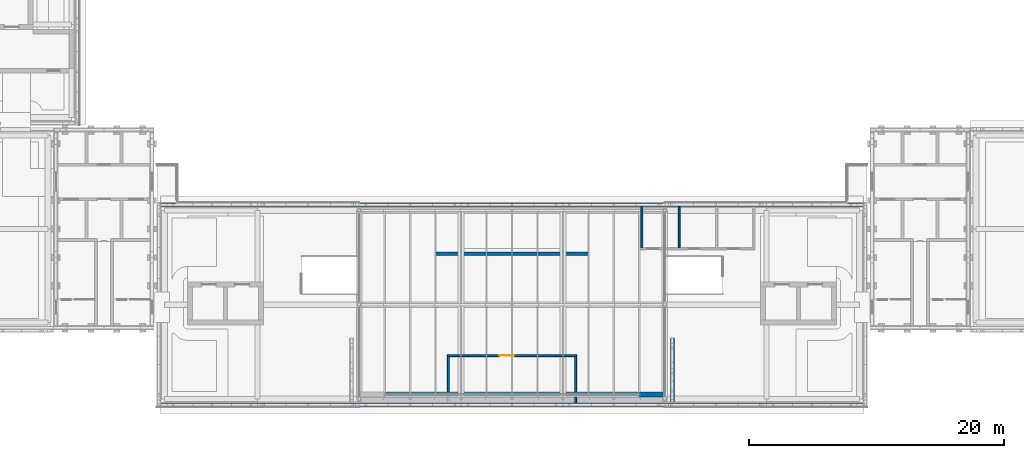
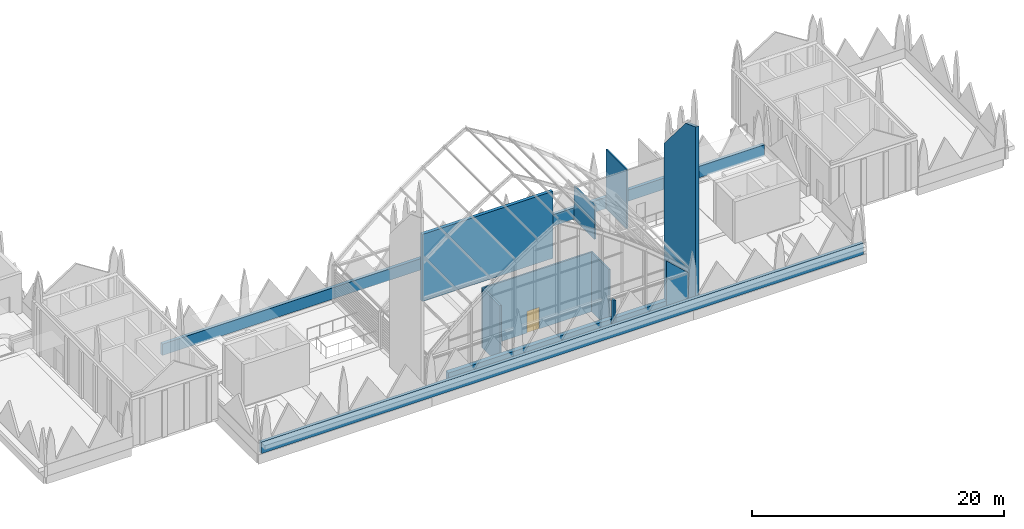
# One storey, part 11 of 18: 12 walls, 1 door, 1 opening.
"""IFC4 building model written with IfcOpenShell, lengths in metres."""

from ifc_helpers import new_model, si_unit, direction, frame, frame_2d, origin, place, context, subcontext, project, spatial, polyline, rectangle, outline, extrude, material, layer, layer_set, type_object, element, fill, save


model = new_model("IFC4")

# Units and contexts
model_context = context("Model", 3, precision=1e-05, world=origin(), true_north=direction((0.0, 1.0)))
body_context = subcontext(model_context, "Body", "Model", "MODEL_VIEW")
ifc_project = project(units=[si_unit("LENGTHUNIT", "METRE"), si_unit("AREAUNIT", "SQUARE_METRE"), si_unit("VOLUMEUNIT", "CUBIC_METRE"), si_unit("PLANEANGLEUNIT", "RADIAN"), si_unit("MASSUNIT", "GRAM", prefix="KILO")], contexts=[model_context])

# Site, building, storey
site_placement = place(None, origin())
site = spatial("IfcSite", under=ifc_project, at=site_placement, CompositionType="ELEMENT")
building_placement = place(site_placement, origin())
building = spatial("IfcBuilding", under=site, at=building_placement, Name="Lantern Court Media Centre", CompositionType="ELEMENT")
storey_placement = place(building_placement, frame((0.0, 0.0, 33.60009765625)))
storey = spatial("IfcBuildingStorey", under=building, at=storey_placement, Name="R00", CompositionType="ELEMENT", Elevation=33.60009765625)

# Walls
ifc_material_1 = material(Name="Honed limestone cladding on blockwork", Category="masonry")
ifc_layer_1 = layer(ifc_material_1, 0.300048828125)
ifc_layer_set_1 = layer_set([ifc_layer_1], Name="Honed limestone cladding on blockwork")
wall_type_1 = type_object("IfcWallType", Name="Limestone flank wall 300", PredefinedType="SOLIDWALL", material=ifc_layer_set_1)
wall_1_placement = place(storey_placement, frame((64.60009765625, 42.39990234375, 0.0), z_axis=(0.0, 0.0, 1.0), x_axis=(0.0, 1.0, 0.0)))
element("IfcWall", 1, at=wall_1_placement, inside=storey, type_object=wall_type_1, Name="Limestone pylon blade S roof", PredefinedType="SOLIDWALL", context=body_context, shape_type="SweptSolid", body=[
    extrude(outline(polyline([(0.0, 0.0), (5.0, 0.0), (5.0, 12.7998046875), (1.60009765625, 16.7998046875), (0.0, 17.39990234375), (0.0, 0.0)])), frame((0.0, 0.14990234375, 0.0), z_axis=(0.0, -1.0, 0.0), x_axis=(1.0, 0.0, 0.0)), (0.0, 0.0, 1.0), 0.300048828125),
])
ifc_material_2 = material(Name="Concrete blockwork C20", Category="masonry")
ifc_layer_2 = layer(ifc_material_2, 0.14990234375)
ifc_layer_set_2 = layer_set([ifc_layer_2], Name="Concrete blockwork C20")
wall_type_2 = type_object("IfcWallType", Name="Partition 150 masonry", PredefinedType="PARTITIONING", material=ifc_layer_set_2)
wall_2_placement = place(storey_placement, frame((65.133056640625, 54.47509765625, 0.0), z_axis=(0.0, 0.0, 1.0), x_axis=(0.0, 1.0, 0.0)))
element("IfcWall", 2, at=wall_2_placement, inside=storey, type_object=wall_type_2, Name="R00 partition 000", PredefinedType="PARTITIONING", context=body_context, shape_type="SweptSolid", body=[
    extrude(rectangle(XDim=3.224853515625, YDim=0.14990234375, at=frame_2d((1.6123046875, 0.0))), origin(), (0.0, 0.0, 1.0), 5.760009765625),
])
wall_3_placement = place(storey_placement, frame((62.199951171875, 54.47509765625, 0.0), z_axis=(0.0, 0.0, 1.0), x_axis=(0.0, 1.0, 0.0)))
element("IfcWall", 3, at=wall_3_placement, inside=storey, type_object=wall_type_2, Name="R00 partition 002", PredefinedType="PARTITIONING", context=body_context, shape_type="SweptSolid", body=[
    extrude(rectangle(XDim=3.224853515625, YDim=0.14990234375, at=frame_2d((1.6123046875, 0.0))), origin(), (0.0, 0.0, 1.0), 3.25),
])
wall_4_placement = place(storey_placement, frame((57.0, 42.300048828125, 0.0), z_axis=(0.0, 0.0, 1.0), x_axis=(0.0, 1.0, 0.0)))
element("IfcWall", 4, at=wall_4_placement, inside=storey, type_object=wall_type_2, Name="R00 partition 005", PredefinedType="PARTITIONING", context=body_context, shape_type="SweptSolid", body=[
    extrude(rectangle(XDim=0.449951171875, YDim=0.14990234375, at=frame_2d((0.22509765625, 0.0))), origin(), (0.0, 0.0, 1.0), 3.25),
])
wall_5_placement = place(storey_placement, frame((57.0, 43.14990234375, 0.0), z_axis=(0.0, 0.0, 1.0), x_axis=(0.0, 1.0, 0.0)))
element("IfcWall", 5, at=wall_5_placement, inside=storey, type_object=wall_type_2, Name="R00 partition 006", PredefinedType="PARTITIONING", context=body_context, shape_type="SweptSolid", body=[
    extrude(rectangle(XDim=2.775146484375, YDim=0.14990234375, at=frame_2d((1.3876953125, 0.0))), origin(), (0.0, 0.0, 1.0), 5.760009765625),
])

# Wall, opening, door
wall_6_placement = place(storey_placement, frame((46.925048828125, 46.0, 0.0), z_axis=(0.0, 0.0, 1.0), x_axis=(1.0, 0.0, 0.0)))
wall_6 = element("IfcWall", 6, at=wall_6_placement, inside=storey, type_object=wall_type_2, Name="R00 partition 007", PredefinedType="PARTITIONING", context=body_context, shape_type="SweptSolid", body=[
    extrude(rectangle(XDim=10.14990234375, YDim=0.14990234375, at=frame_2d((5.074951171875, 0.0))), origin(), (0.0, 0.0, 1.0), 5.760009765625),
])
opening_placement = place(wall_6_placement, frame((4.091552734375, 0.0, 0.0)))
opening = element("IfcOpeningElement", 7, at=opening_placement, cuts=wall_6, Name="Opening R00-004", PredefinedType="OPENING", context=body_context, shape_type="SweptSolid", body=[
    extrude(rectangle(XDim=1.14990234375, YDim=2.10009765625, at=frame_2d((0.574951171875, 1.050048828125))), frame((0.0, 0.0849609375, 0.0), z_axis=(0.0, -1.0, 0.0), x_axis=(1.0, 0.0, 0.0)), (0.0, 0.0, 1.0), 0.169921875),
])
ifc_material_3 = material(Name="Solid-core timber door leaf", Category="wood")
door_type = type_object("IfcDoorType", Name="Single door 1150x2100", OperationType="NOTDEFINED", PredefinedType="DOOR", material=ifc_material_3)
door_placement = place(opening_placement, frame((1.14990234375, 0.0, 0.0), z_axis=(0.0, 0.0, 1.0), x_axis=(-1.0, 0.0, 0.0)))
door = element("IfcDoor", 8, at=door_placement, inside=storey, type_object=door_type, Name="R00 Projection Booth door", OperationType="SINGLE_SWING_LEFT", OverallHeight=2.10009765625, OverallWidth=1.14990234375, PredefinedType="DOOR", context=body_context, shape_type="SweptSolid", body=[
    extrude(rectangle(XDim=1.14990234375, YDim=2.10009765625, at=frame_2d((0.574951171875, 1.050048828125))), frame((0.0, 0.02490234375, 0.0), z_axis=(0.0, -1.0, 0.0), x_axis=(1.0, 0.0, 0.0)), (0.0, 0.0, 1.0), 0.050048828125),
])
fill(opening, door)

# Walls
wall_7_placement = place(storey_placement, frame((47.0, 43.14990234375, 0.0), z_axis=(0.0, 0.0, 1.0), x_axis=(0.0, 1.0, 0.0)))
element("IfcWall", 9, at=wall_7_placement, inside=storey, type_object=wall_type_2, Name="R00 partition 009", PredefinedType="PARTITIONING", context=body_context, shape_type="SweptSolid", body=[
    extrude(rectangle(XDim=2.775146484375, YDim=0.14990234375, at=frame_2d((1.3876953125, 0.0))), origin(), (0.0, 0.0, 1.0), 5.760009765625),
])
ifc_material_4 = material(Name="Limestone masonry, insulated", Category="masonry")
ifc_layer_3 = layer(ifc_material_4, 0.39990234375)
ifc_layer_set_3 = layer_set([ifc_layer_3], Name="Limestone masonry, insulated")
wall_type_3 = type_object("IfcWallType", Name="Pavilion gable wall 400", PredefinedType="SOLIDWALL", material=ifc_layer_set_3)
wall_8_placement = place(storey_placement, frame((62.0, 42.949951171875, 0.0), z_axis=(0.0, 0.0, 1.0), x_axis=(1.0, 0.0, 0.0)))
element("IfcWall", 10, at=wall_8_placement, inside=storey, type_object=wall_type_3, Name="Terrace pavilion gable pier", PredefinedType="SOLIDWALL", context=body_context, shape_type="SweptSolid", body=[
    extrude(outline(polyline([(0.0, 0.0), (2.0, 0.0), (2.0, 3.199951171875), (1.75, 3.4404296875), (1.5, 3.677978515625), (1.25, 3.9130859375), (1.0, 4.145263671875), (0.75, 4.375), (0.5, 4.60205078125), (0.25, 4.82666015625), (0.0, 5.048583984375), (0.0, 0.0)])), frame((0.0, 0.199951171875, 0.0), z_axis=(0.0, -1.0, 0.0), x_axis=(1.0, 0.0, 0.0)), (0.0, 0.0, 1.0), 0.39990234375),
])
wall_9_placement = place(storey_placement, frame((42.0, 42.949951171875, 0.0), z_axis=(0.0, 0.0, 1.0), x_axis=(1.0, 0.0, 0.0)))
element("IfcWall", 11, at=wall_9_placement, inside=storey, type_object=wall_type_3, Name="Terrace pavilion gable plinth", PredefinedType="SOLIDWALL", context=body_context, shape_type="SweptSolid", body=[
    extrude(rectangle(XDim=20.0, YDim=0.39990234375, at=frame_2d((10.0, 0.0))), origin(), (0.0, 0.0, 1.0), 1.199951171875),
])
ifc_material_5 = material(Name="Insulated rendered blockwork", Category="masonry")
ifc_layer_4 = layer(ifc_material_5, 0.300048828125)
ifc_layer_set_4 = layer_set([ifc_layer_4], Name="Insulated rendered blockwork")
wall_type_4 = type_object("IfcWallType", Name="Roof parapet 300", PredefinedType="PARAPET", material=ifc_layer_set_4)
for number, where, z_axis, x_axis, name in (
    (12, (24.39990234375, 42.14990234375, 0.0), (0.0, 0.0, 1.0), (1.0, 0.0, 0.0), "Roof parapet PP-S"),
    (13, (24.39990234375, 57.85009765625, 0.0), (0.0, 0.0, 1.0), (1.0, 0.0, 0.0), "Roof parapet PP-S"),
):
    element("IfcWall", number, at=place(storey_placement, frame(where, z_axis=z_axis, x_axis=x_axis)), inside=storey, type_object=wall_type_4, Name=name, PredefinedType="PARAPET", context=body_context, shape_type="SweptSolid", body=[
        extrude(rectangle(XDim=55.2001953125, YDim=0.300048828125, at=frame_2d((27.60009765625, 0.0))), origin(), (0.0, 0.0, 1.0), 1.099853515625),
    ])
ifc_material_6 = material(Name="Reinforced masonry screen, rendered", Category="masonry")
ifc_layer_5 = layer(ifc_material_6, 0.300048828125)
ifc_layer_set_5 = layer_set([ifc_layer_5], Name="Reinforced masonry screen, rendered")
wall_type_5 = type_object("IfcWallType", Name="Rooftop cinema screen wall 300", PredefinedType="SOLIDWALL", material=ifc_layer_set_5)
wall_10_placement = place(storey_placement, frame((46.0, 54.0, 0.0), z_axis=(0.0, 0.0, 1.0), x_axis=(1.0, 0.0, 0.0)))
element("IfcWall", 14, at=wall_10_placement, inside=storey, type_object=wall_type_5, Name="Rooftop cinema screen", PredefinedType="SOLIDWALL", context=body_context, shape_type="SweptSolid", body=[
    extrude(rectangle(XDim=12.0, YDim=0.300048828125, at=frame_2d((6.0, 0.0))), origin(), (0.0, 0.0, 1.0), 6.5),
])

save(model, "model.ifc")
